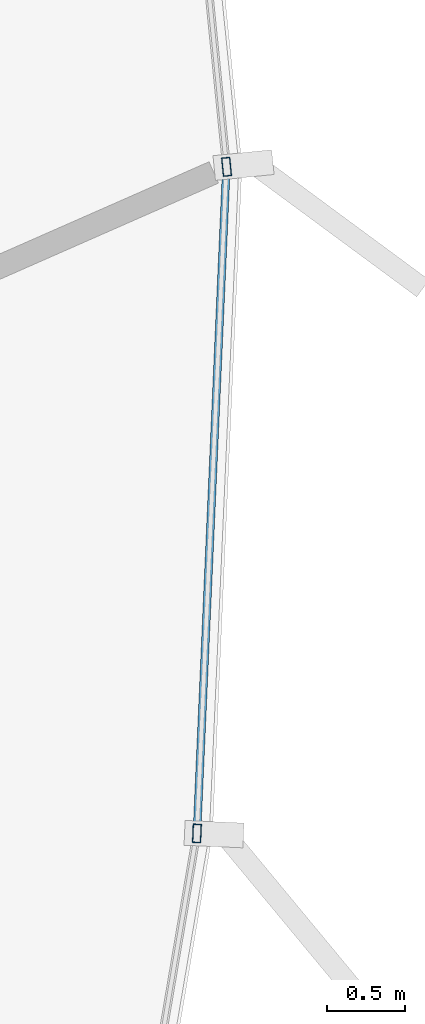
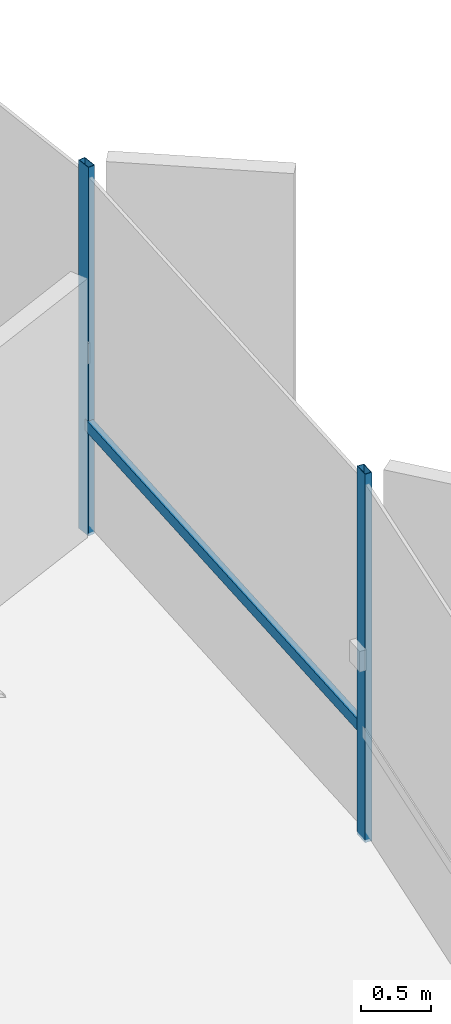
# One storey, part 17 of 33: 3 members, 1 element without a shape of its own.
"""IFC4 building model written with IfcOpenShell, lengths in metres."""

from ifc_helpers import new_model, si_unit, direction, frame, origin, origin_2d, place, context, subcontext, project, spatial, hollow_rectangle, extrude, source, transform, mapped, material, layer, layer_set, material_profile, profile_set, type_object, element, aggregate, save


model = new_model("IFC4")

# Units and contexts
model_context = context("Model", 3, precision=1e-05, world=origin(), true_north=direction((0.0, 1.0)))
body_context = subcontext(model_context, "Body", "Model", "MODEL_VIEW")
ifc_project = project(units=[si_unit("LENGTHUNIT", "METRE"), si_unit("AREAUNIT", "SQUARE_METRE"), si_unit("VOLUMEUNIT", "CUBIC_METRE"), si_unit("PLANEANGLEUNIT", "RADIAN"), si_unit("MASSUNIT", "GRAM", prefix="KILO"), si_unit("THERMODYNAMICTEMPERATUREUNIT", "KELVIN")], contexts=[model_context])

# Site, building, storey
site_placement = place(None, origin())
site = spatial("IfcSite", under=ifc_project, at=site_placement, CompositionType="ELEMENT")
building_placement = place(site_placement, origin())
building = spatial("IfcBuilding", under=site, at=building_placement, Name="Kethvar Cultural Tower", CompositionType="ELEMENT")
storey_placement = place(building_placement, frame((0.0, 0.0, 256.0)))
storey = spatial("IfcBuildingStorey", under=building, at=storey_placement, Name="L67", CompositionType="ELEMENT", Elevation=256.0)

# Curtain wall, members
ifc_material = material(Name="Aluminium 6063-T6", Category="aluminium")
ifc_layer = layer(ifc_material, 0.179931640625, Name="Aluminium 6063-T6", Category="aluminium")
ifc_layer_set = layer_set([ifc_layer], Name="Aluminium 6063-T6 (180 mm)")
curtain_wall_type = type_object("IfcCurtainWallType", Name="CW-SYS-05-Z56", PredefinedType="NOTDEFINED", material=ifc_layer_set)
curtain_wall_placement = place(storey_placement, origin())
curtain_wall = element("IfcCurtainWall", 1, at=curtain_wall_placement, inside=storey, type_object=curtain_wall_type, Name="L67 Curtain Wall Run 06", PredefinedType="NOTDEFINED")
ifc_material_profile_1 = material_profile(ifc_material, hollow_rectangle(XDim=0.054931640625, YDim=0.1201171875, WallThickness=0.00390625, at=origin_2d()), Name="Aluminium 6063-T6 — RHS120x55x4")
ifc_profile_set_1 = profile_set([ifc_material_profile_1], Name="Aluminium 6063-T6 — RHS120x55x4")
member_type_1 = type_object("IfcMemberType", Name="CW-SYS-05-Z56-MUL", PredefinedType="MULLION", material=ifc_profile_set_1)
shared_shape_1 = source(origin(), body_context, "Body", "SweptSolid", [
    extrude(hollow_rectangle(XDim=0.054931640625, YDim=0.1201171875, WallThickness=0.00390625, at=origin_2d()), origin(), (0.0, 0.0, 1.0), 3.2099609375),
])
member_1_placement = place(storey_placement, frame((67.84228515625, 32.784912109375, 0.0), z_axis=(0.0, 0.0, 1.0), x_axis=(-0.999026785832, 0.044107609201, 0.0)))
member_1 = element("IfcMember", 2, at=member_1_placement, type_object=member_type_1, Name="CW-L67-R06 Mullion 2", PredefinedType="MULLION", context=body_context, shape_type="MappedRepresentation", body=[
    mapped(shared_shape_1, transform((0.0, 0.0, 0.0), scale=1.0)),
])
member_2_placement = place(storey_placement, frame((68.033203125, 37.079833984375, 0.0), z_axis=(0.0, 0.0, 1.0), x_axis=(-0.994931730579, -0.100552729883, 0.0)))
member_2 = element("IfcMember", 3, at=member_2_placement, type_object=member_type_1, Name="CW-L67-R06 Mullion 3", PredefinedType="MULLION", context=body_context, shape_type="MappedRepresentation", body=[
    mapped(shared_shape_1, transform((0.0, 0.0, 0.0), scale=1.0)),
])
ifc_material_profile_2 = material_profile(ifc_material, hollow_rectangle(XDim=0.050048828125, YDim=0.10009765625, WallThickness=0.00390625, at=origin_2d()), Name="Aluminium 6063-T6 — RHS100x50x4")
ifc_profile_set_2 = profile_set([ifc_material_profile_2], Name="Aluminium 6063-T6 — RHS100x50x4")
member_type_2 = type_object("IfcMemberType", Name="CW-SYS-05-Z56-TRN", PredefinedType="USERDEFINED", material=ifc_profile_set_2)
shared_shape_2 = source(origin(), body_context, "Body", "SweptSolid", [
    extrude(hollow_rectangle(XDim=0.050048828125, YDim=0.10009765625, WallThickness=0.00390625, at=origin_2d()), origin(), (0.0, 0.0, 1.0), 4.234375),
])
member_3_placement = place(storey_placement, frame((67.843994140625, 32.824462890625, 0.949951171875), z_axis=(0.044165323761, 0.999024236031, 0.0), x_axis=(-0.999024236031, 0.044165323761, 0.0)))
member_3 = element("IfcMember", 4, at=member_3_placement, type_object=member_type_2, Name="CW-L67-R06 Transom 2", ObjectType="TRANSOM", PredefinedType="USERDEFINED", context=body_context, shape_type="MappedRepresentation", body=[
    mapped(shared_shape_2, transform((0.0, 0.0, 0.0), scale=1.0)),
])
aggregate(curtain_wall, [member_1, member_2, member_3])

save(model, "model.ifc")
